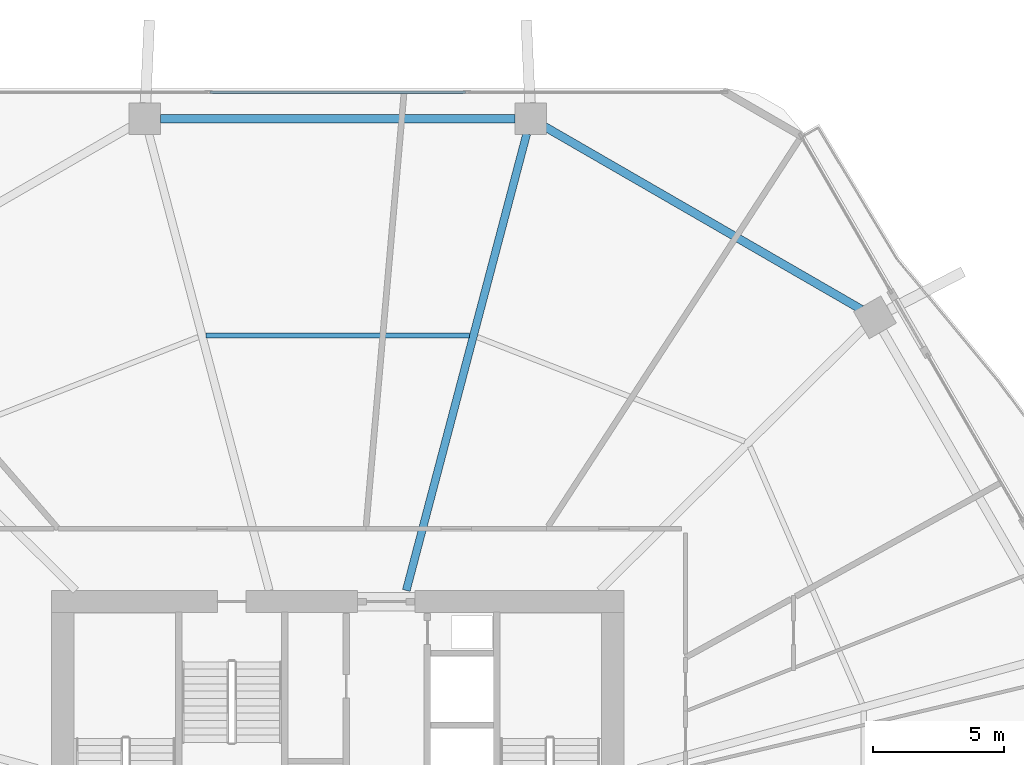
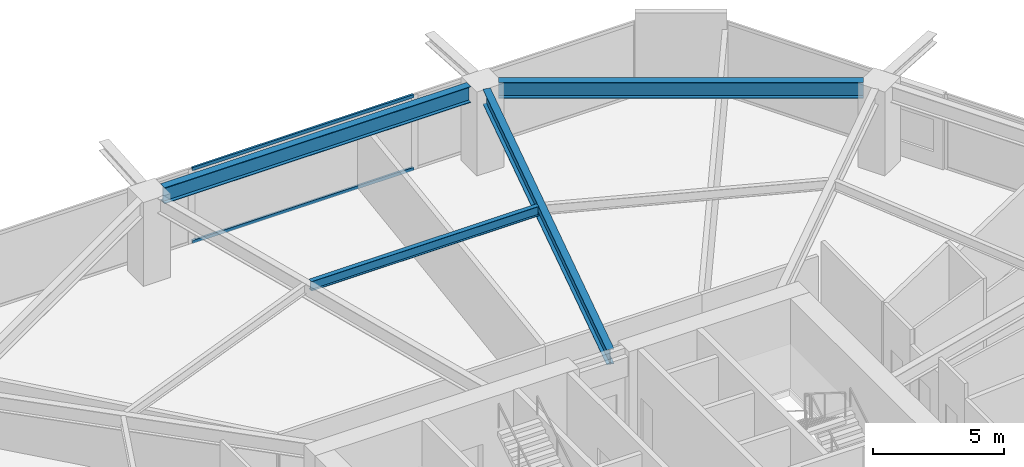
# One storey, part 18 of 27: 4 beams, 2 members, 1 element without a shape of its own.
"""IFC4 building model written with IfcOpenShell, lengths in metres."""

import ifcopenshell
import ifcopenshell.guid

model = None  # the IFC model being written
_history = None  # IfcOwnerHistory: only IFC2X3 demands one
_inside = {}  # id of a spatial element -> (the spatial element, [elements in it])
_under = {}  # id of a project, library or spatial element -> (it, [spatial elements below it])
_declared = {}  # id of a project -> (the project, [libraries it declares])
_typed = {}  # id of a type object -> (the type object, [elements of that type])
_made_of = {}  # id of a material, layer set ... -> (it, [elements and type objects made of it])


def new_model(schema):
    """Start an empty IFC model of exactly this schema.

    Asked for "IFC4X3", IfcOpenShell would pick the latest addendum, in which some entities
    have other attributes; the version numbers below select the first issue.
    IFC2X3 requires an IfcOwnerHistory on every rooted entity: one is made here for all.
    """
    global model, _history
    if schema == "IFC4X3":
        model = ifcopenshell.file(schema_version=(4, 3, 0, 0))
    else:
        model = ifcopenshell.file(schema=schema)
    _inside.clear()
    _under.clear()
    _declared.clear()
    _typed.clear()
    _made_of.clear()
    _history = None
    if model.schema == "IFC2X3":
        org = make("IfcOrganization", Name="unknown")
        user = make(
            "IfcPersonAndOrganization",
            ThePerson=make("IfcPerson", FamilyName="unknown"),
            TheOrganization=org,
        )
        app = make(
            "IfcApplication",
            ApplicationDeveloper=org,
            Version="unknown",
            ApplicationFullName="unknown",
            ApplicationIdentifier="unknown",
        )
        _history = make(
            "IfcOwnerHistory",
            OwningUser=user,
            OwningApplication=app,
            ChangeAction="ADDED",
            CreationDate=0,
        )
    return model


def make(cls, **values):
    """One entity of the class cls with the attributes given. An attribute that is None is left unset."""
    return model.create_entity(
        cls, **{name: value for name, value in values.items() if value is not None}
    )


def rooted(cls, **values):
    """An entity with a GlobalId (a new one), such as an element, a storey or a relation."""
    return make(cls, GlobalId=ifcopenshell.guid.new(), OwnerHistory=_history, **values)


def si_unit(unit_type, name, prefix=None):
    """IfcSIUnit, for example si_unit("LENGTHUNIT", "METRE", prefix="MILLI")."""
    return make("IfcSIUnit", UnitType=unit_type, Prefix=prefix, Name=name)


def assignment(units):
    """IfcUnitAssignment: the units of a project."""
    return None if units is None else make("IfcUnitAssignment", Units=units)


def point(xyz):
    """IfcCartesianPoint."""
    return None if xyz is None else make("IfcCartesianPoint", Coordinates=xyz)


def direction(xyz):
    """IfcDirection."""
    return None if xyz is None else make("IfcDirection", DirectionRatios=xyz)


def frame(location, z_axis=None, x_axis=None):
    """IfcAxis2Placement3D, a coordinate frame: its origin and axes. An axis left out is left unset."""
    return make(
        "IfcAxis2Placement3D",
        Location=point(location),
        Axis=direction(z_axis),
        RefDirection=direction(x_axis),
    )


def frame_2d(location, x_axis=None):
    """IfcAxis2Placement2D, a coordinate frame in the plane: its origin and x axis."""
    return make(
        "IfcAxis2Placement2D", Location=point(location), RefDirection=direction(x_axis)
    )


def origin():
    """The frame at (0, 0, 0) with its axes left unset."""
    return frame((0.0, 0.0, 0.0))


def origin_2d():
    """The frame at (0, 0) in the plane with its x axis left unset."""
    return frame_2d((0.0, 0.0))


def place(relative_to, where):
    """IfcLocalPlacement: puts the frame where relative to a parent placement (None: the world)."""
    return make(
        "IfcLocalPlacement", PlacementRelTo=relative_to, RelativePlacement=where
    )


def context(
    kind, dimensions, precision=None, world=None, true_north=None, identifier=None
):
    """IfcGeometricRepresentationContext, for example the 3D "Model" context."""
    return make(
        "IfcGeometricRepresentationContext",
        ContextIdentifier=identifier,
        ContextType=kind,
        CoordinateSpaceDimension=dimensions,
        Precision=precision,
        WorldCoordinateSystem=world,
        TrueNorth=true_north,
    )


def subcontext(parent, identifier, kind, view, scale=None):
    """IfcGeometricRepresentationSubContext, for example "Body" below "Model"."""
    return make(
        "IfcGeometricRepresentationSubContext",
        ContextIdentifier=identifier,
        ContextType=kind,
        ParentContext=parent,
        TargetScale=scale,
        TargetView=view,
    )


def project(units=None, contexts=None):
    """IfcProject with its units and contexts."""
    return rooted(
        "IfcProject",
        Name="project",
        RepresentationContexts=contexts,
        UnitsInContext=assignment(units),
    )


def spatial(cls, under=None, at=None, **own):
    """A site, building, storey or space (cls), placed at a placement, below another one or the project."""
    s = rooted(cls, ObjectPlacement=at, **own)
    if under is not None:
        _under.setdefault(under.id(), (under, []))[1].append(s)
    return s


def profile(cls, at=None, kind="AREA", **sizes):
    """A parametric profile (cls). Its sizes go by their IFC names, for example OverallWidth=200.0."""
    return make(cls, ProfileType=kind, Position=at, **sizes)


def hollow_rectangle(**sizes):
    """IfcRectangleHollowProfileDef."""
    return profile("IfcRectangleHollowProfileDef", **sizes)


def i_section(**sizes):
    """IfcIShapeProfileDef."""
    return profile("IfcIShapeProfileDef", **sizes)


def extrude(swept, where, along, depth):
    """IfcExtrudedAreaSolid: the profile swept, set in the frame where, extruded along a direction by depth."""
    return make(
        "IfcExtrudedAreaSolid",
        SweptArea=swept,
        Position=where,
        ExtrudedDirection=direction(along),
        Depth=depth,
    )


def shape(context_of_items, identifier, shape_type, items):
    """IfcShapeRepresentation: the items that make up one representation, for example the "Body"."""
    return make(
        "IfcShapeRepresentation",
        ContextOfItems=context_of_items,
        RepresentationIdentifier=identifier,
        RepresentationType=shape_type,
        Items=items,
    )


def material(Name=None, Category=None):
    """IfcMaterial."""
    return make("IfcMaterial", Name=Name, Category=Category)


def material_profile(
    of_material, cross_section, Name=None, Category=None, Priority=None
):
    """IfcMaterialProfile: a cross section and its material."""
    return make(
        "IfcMaterialProfile",
        Name=Name,
        Material=of_material,
        Profile=cross_section,
        Priority=Priority,
        Category=Category,
    )


def profile_set(profiles, Name=None, composite=None):
    """IfcMaterialProfileSet."""
    return make(
        "IfcMaterialProfileSet",
        Name=Name,
        MaterialProfiles=profiles,
        CompositeProfile=composite,
    )


def made_of(thing, what):
    """Note that an element or type object is made of a material, layer set ...; save() writes the relation."""
    if what is not None:
        _made_of.setdefault(what.id(), (what, []))[1].append(thing)
    return thing


def type_object(cls, material=None, **own):
    """A type object (cls), such as IfcWallType, which elements share."""
    return made_of(rooted(cls, **own), material)


def element(
    cls,
    number,
    at=None,
    inside=None,
    cuts=None,
    type_object=None,
    material=None,
    context=None,
    identifier="Body",
    shape_type=None,
    held_by="IfcProductDefinitionShape",
    body=None,
    shapes=None,
    **own,
):
    """One element of the class cls, such as IfcWall. Its Tag is "e" and its number.

    at: its placement. inside: the storey or other place that contains it. cuts: it is an
    opening in that element (IfcRelVoidsElement). A single representation is given by context,
    identifier, shape_type and body (its items); several are given by shapes. held_by: the class
    of the entity that holds the representations. save() writes the other relations.
    """
    e = rooted(cls, Tag="e%d" % number, ObjectPlacement=at, **own)
    if body is not None:
        shapes = [shape(context, identifier, shape_type, body)]
    if shapes is not None:
        e.Representation = make(held_by, Representations=shapes)
    if inside is not None:
        _inside.setdefault(inside.id(), (inside, []))[1].append(e)
    if cuts is not None:
        rooted(
            "IfcRelVoidsElement", RelatingBuildingElement=cuts, RelatedOpeningElement=e
        )
    if type_object is not None:
        _typed.setdefault(type_object.id(), (type_object, []))[1].append(e)
    return made_of(e, material)


def aggregate(whole, parts):
    """IfcRelAggregates: a whole, such as a stair, and the parts it consists of."""
    return rooted("IfcRelAggregates", RelatingObject=whole, RelatedObjects=parts)


def save(model, path):
    """Write the relations noted so far, then the file.

    IfcRelAggregates (storeys below a building ...), IfcRelContainedInSpatialStructure (elements
    in a storey), IfcRelDefinesByType, IfcRelAssociatesMaterial and IfcRelDeclares: one each for
    every whole, place, type object, material and project.
    """
    for whole, parts in _under.values():
        aggregate(whole, parts)
    for where, things in _inside.values():
        rooted(
            "IfcRelContainedInSpatialStructure",
            RelatedElements=things,
            RelatingStructure=where,
        )
    for kind, things in _typed.values():
        rooted("IfcRelDefinesByType", RelatedObjects=things, RelatingType=kind)
    for what, things in _made_of.values():
        rooted("IfcRelAssociatesMaterial", RelatedObjects=things, RelatingMaterial=what)
    for by, libraries in _declared.values():
        rooted("IfcRelDeclares", RelatingContext=by, RelatedDefinitions=libraries)
    model.write(path)


model = new_model("IFC4")

# Units and contexts
model_context = context("Model", 3, precision=1e-05, world=origin(), true_north=direction((0.0, 1.0)))
body_context = subcontext(model_context, "Body", "Model", "MODEL_VIEW")
ifc_project = project(units=[si_unit("LENGTHUNIT", "METRE"), si_unit("AREAUNIT", "SQUARE_METRE"), si_unit("VOLUMEUNIT", "CUBIC_METRE"), si_unit("PLANEANGLEUNIT", "RADIAN"), si_unit("MASSUNIT", "GRAM", prefix="KILO")], contexts=[model_context])

# Site, building, storey
site_placement = place(None, origin())
site = spatial("IfcSite", under=ifc_project, at=site_placement, CompositionType="ELEMENT")
building_placement = place(site_placement, origin())
building = spatial("IfcBuilding", under=site, at=building_placement, Name="Zuhravey Tower", CompositionType="ELEMENT")
storey_placement = place(building_placement, frame((0.0, 0.0, 12.0)))
storey = spatial("IfcBuildingStorey", under=building, at=storey_placement, Name="L03", CompositionType="ELEMENT", Elevation=12.0)

# Curtain wall, members
ifc_material_1 = material(Name="Thermally broken anodised aluminium", Category="aluminium")
curtain_wall_type = type_object("IfcCurtainWallType", Name="School Low-E Unitised Curtain Wall CW1", PredefinedType="NOTDEFINED", material=ifc_material_1)
curtain_wall_placement = place(storey_placement, origin())
curtain_wall = element("IfcCurtainWall", 1, at=curtain_wall_placement, inside=storey, type_object=curtain_wall_type, Name="L03 CW1 CW-L03-F2-1", PredefinedType="NOTDEFINED")
ifc_material_2 = material(Name="Anodised aluminium", Category="aluminium")
ifc_material_profile_1 = material_profile(ifc_material_2, hollow_rectangle(XDim=0.090087890625, YDim=0.14990234375, WallThickness=0.0048828125, at=origin_2d()), Name="ALU-RHS-90x150x5")
ifc_profile_set_1 = profile_set([ifc_material_profile_1], Name="Anodised aluminium")
member_type = type_object("IfcMemberType", Name="Curtain-Wall Transom 90x150", PredefinedType="USERDEFINED", material=ifc_profile_set_1)
member_1_placement = place(storey_placement, frame((31.11181640625, 60.95849609375, 0.044921875), z_axis=(1.0, 0.0, 0.0), x_axis=(0.0, 1.0, 0.0)))
member_1 = element("IfcMember", 2, at=member_1_placement, type_object=member_type, Name="CW1 transom 2.1", ObjectType="TRANSOM", PredefinedType="USERDEFINED", context=body_context, shape_type="SweptSolid", body=[
    extrude(hollow_rectangle(XDim=0.090087890625, YDim=0.14990234375, WallThickness=0.0048828125, at=origin_2d()), origin(), (0.0, 0.0, 1.0), 9.7763671875),
])
member_2_placement = place(storey_placement, frame((31.11181640625, 60.95849609375, 3.447021484375), z_axis=(1.0, 0.0, 0.0), x_axis=(0.0, 1.0, 0.0)))
member_2 = element("IfcMember", 3, at=member_2_placement, type_object=member_type, Name="CW1 transom 2.2", ObjectType="TRANSOM", PredefinedType="USERDEFINED", context=body_context, shape_type="SweptSolid", body=[
    extrude(hollow_rectangle(XDim=0.090087890625, YDim=0.14990234375, WallThickness=0.0048828125, at=origin_2d()), origin(), (0.0, 0.0, 1.0), 9.7763671875),
])
aggregate(curtain_wall, [member_1, member_2])

# Beams
ifc_material_3 = material(Name="Steel SM355", Category="steel")
ifc_material_profile_2 = material_profile(ifc_material_3, i_section(OverallWidth=0.320068359375, OverallDepth=0.75, WebThickness=0.013916015625, FlangeThickness=0.02490234375, at=origin_2d()), Name="H-750x320x14x25")
ifc_profile_set_2 = profile_set([ifc_material_profile_2], Name="Steel SM355")
beam_type_1 = type_object("IfcBeamType", Name="Perimeter Ring Beam H750x320", PredefinedType="BEAM", material=ifc_profile_set_2)
beam_1_placement = place(storey_placement, frame((55.996826171875, 52.658447265625, 3.544921875), z_axis=(-0.866029969761, 0.499992091414, 0.0), x_axis=(-0.499992091414, -0.866029969761, 0.0)))
element("IfcBeam", 4, at=beam_1_placement, inside=storey, type_object=beam_type_1, Name="L03 PB1 BM-L03-PB-02", PredefinedType="BEAM", context=body_context, shape_type="SweptSolid", body=[
    extrude(i_section(OverallWidth=0.320068359375, OverallDepth=0.75, WebThickness=0.013916015625, FlangeThickness=0.02490234375, at=origin_2d()), origin(), (0.0, 0.0, 1.0), 13.977294921875),
])
beam_2_placement = place(storey_placement, frame((42.76708984375, 59.948486328125, 3.544921875), z_axis=(-1.0, 0.0, 0.0), x_axis=(0.0, -1.0, 0.0)))
element("IfcBeam", 5, at=beam_2_placement, inside=storey, type_object=beam_type_1, Name="L03 PB1 BM-L03-PB-03", PredefinedType="BEAM", context=body_context, shape_type="SweptSolid", body=[
    extrude(i_section(OverallWidth=0.320068359375, OverallDepth=0.75, WebThickness=0.013916015625, FlangeThickness=0.02490234375, at=origin_2d()), origin(), (0.0, 0.0, 1.0), 13.5341796875),
])
ifc_material_profile_3 = material_profile(ifc_material_3, i_section(OverallWidth=0.300048828125, OverallDepth=0.699951171875, WebThickness=0.012939453125, FlangeThickness=0.02392578125, at=origin_2d()), Name="H-700x300x13x24")
ifc_profile_set_3 = profile_set([ifc_material_profile_3], Name="Steel SM355")
beam_type_2 = type_object("IfcBeamType", Name="Radial Primary Girder H700x300", PredefinedType="BEAM", material=ifc_profile_set_3)
beam_3_placement = place(storey_placement, frame((38.617919921875, 41.927978515625, 3.570068359375), z_axis=(0.254989720435, 0.966943763862, 0.0), x_axis=(-0.966943763862, 0.254989720435, 0.0)))
element("IfcBeam", 6, at=beam_3_placement, inside=storey, type_object=beam_type_2, Name="L03 RG1 BM-L03-RAD-03", PredefinedType="BEAM", context=body_context, shape_type="SweptSolid", body=[
    extrude(i_section(OverallWidth=0.300048828125, OverallDepth=0.699951171875, WebThickness=0.012939453125, FlangeThickness=0.02392578125, at=origin_2d()), origin(), (0.0, 0.0, 1.0), 18.03369140625),
])
ifc_material_profile_4 = material_profile(ifc_material_3, i_section(OverallWidth=0.199951171875, OverallDepth=0.449951171875, WebThickness=0.009033203125, FlangeThickness=0.013916015625, at=origin_2d()), Name="H-450x200x9x14")
ifc_profile_set_4 = profile_set([ifc_material_profile_4], Name="Steel SM355")
beam_type_3 = type_object("IfcBeamType", Name="Secondary Floor Joist H450x200", PredefinedType="JOIST", material=ifc_profile_set_4)
beam_4_placement = place(storey_placement, frame((41.030029296875, 51.6591796875, 3.695068359375), z_axis=(-1.0, 0.0, 0.0), x_axis=(0.0, -1.0, 0.0)))
element("IfcBeam", 7, at=beam_4_placement, inside=storey, type_object=beam_type_3, Name="L03 SJ1 BM-L03-SJ-03-1", PredefinedType="JOIST", context=body_context, shape_type="SweptSolid", body=[
    extrude(i_section(OverallWidth=0.199951171875, OverallDepth=0.449951171875, WebThickness=0.009033203125, FlangeThickness=0.013916015625, at=origin_2d()), origin(), (0.0, 0.0, 1.0), 10.06005859375),
])

save(model, "model.ifc")
